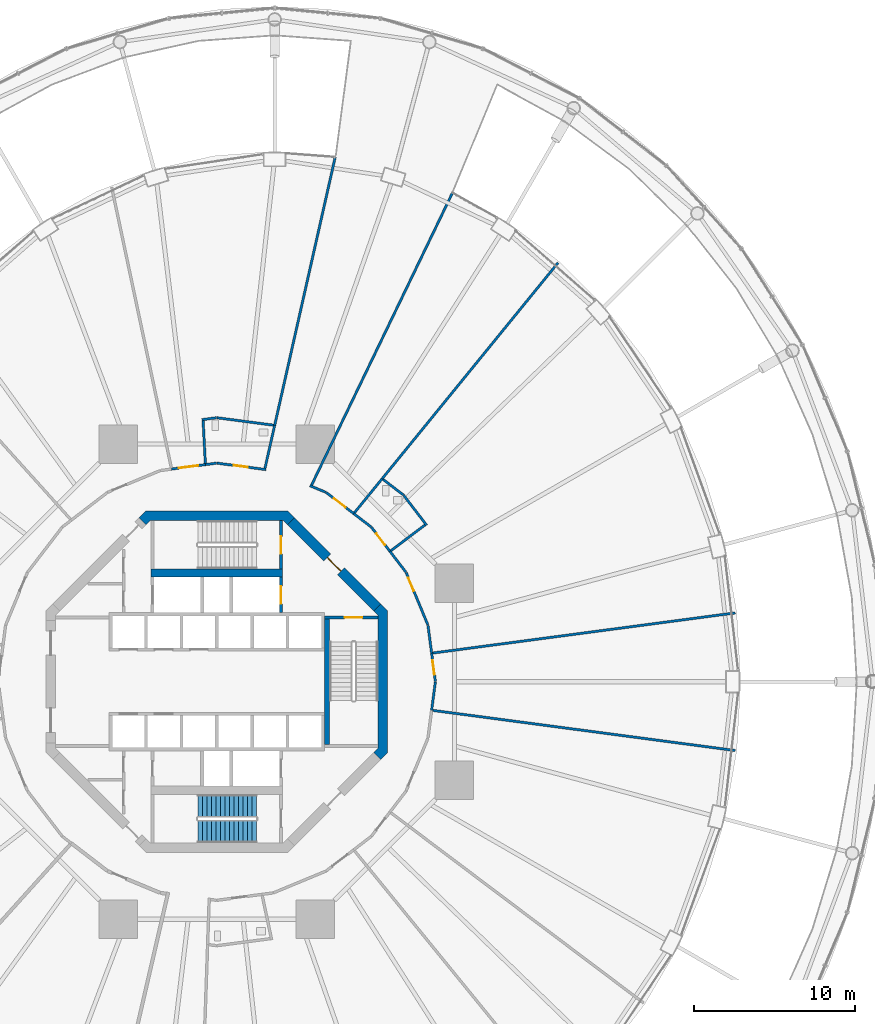
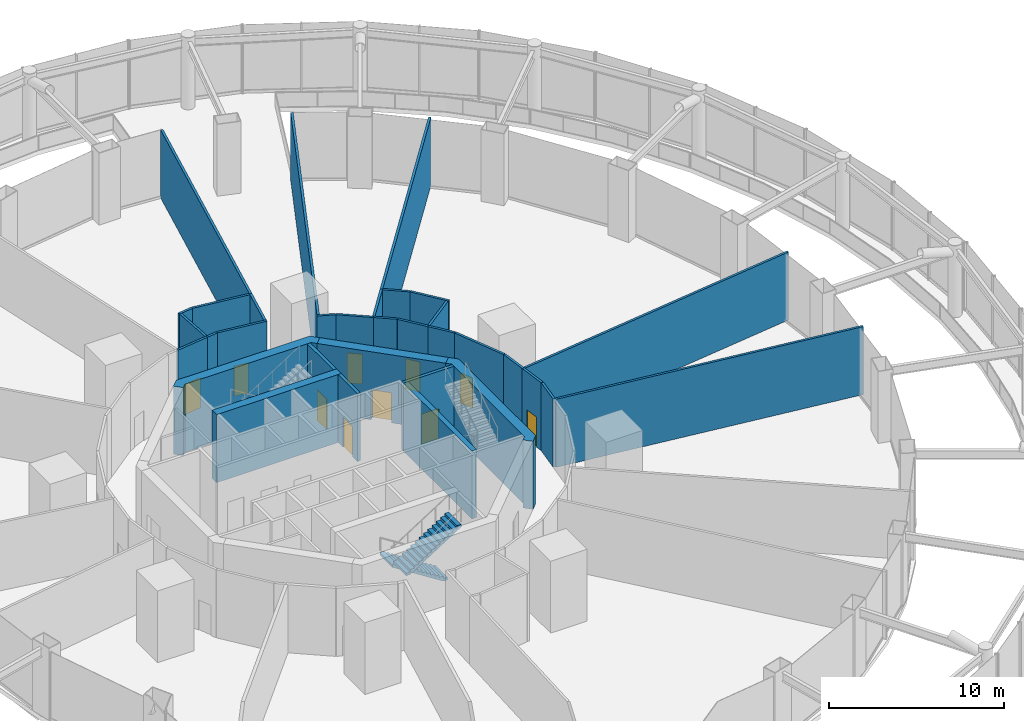
# One storey, part 46 of 52: 33 walls, 10 doors, 2 stair flights, 10 openings, 1 element without a shape of its own.
"""IFC4 building model written with IfcOpenShell, lengths in metres."""

from ifc_helpers import new_model, si_unit, direction, frame, frame_2d, origin, place, context, subcontext, project, spatial, polyline, rectangle, outline, extrude, material, layer, layer_set, type_object, element, fill, aggregate, save


model = new_model("IFC4")

# Units and contexts
model_context = context("Model", 3, precision=1e-05, world=origin(), true_north=direction((0.0, 1.0)))
body_context = subcontext(model_context, "Body", "Model", "MODEL_VIEW")
ifc_project = project(units=[si_unit("LENGTHUNIT", "METRE"), si_unit("AREAUNIT", "SQUARE_METRE"), si_unit("VOLUMEUNIT", "CUBIC_METRE"), si_unit("PLANEANGLEUNIT", "RADIAN"), si_unit("MASSUNIT", "GRAM", prefix="KILO")], contexts=[model_context])

# Site, building, storey
site_placement = place(None, origin())
site = spatial("IfcSite", under=ifc_project, at=site_placement, CompositionType="ELEMENT")
building_placement = place(site_placement, origin())
building = spatial("IfcBuilding", under=site, at=building_placement, Name="Nagisa Residences", CompositionType="ELEMENT")
storey_placement = place(building_placement, frame((0.0, 0.0, 22.0)))
storey = spatial("IfcBuildingStorey", under=building, at=storey_placement, Name="L04", CompositionType="ELEMENT", Elevation=22.0)

# Wall, opening, door
ifc_material_1 = material(Name="Concrete C60", Category="concrete")
ifc_layer_1 = layer(ifc_material_1, 0.60009765625)
ifc_layer_set_1 = layer_set([ifc_layer_1], Name="Core shear wall 600")
wall_type_1 = type_object("IfcWallType", Name="Core shear wall 600", PredefinedType="SHEAR", material=ifc_layer_set_1)
wall_1_placement = place(storey_placement, frame((9.98828125, 4.613037109375, 0.0), z_axis=(0.0, 0.0, 1.0), x_axis=(-0.707106781187, 0.707106781187, 0.0)))
wall_1 = element("IfcWall", 1, at=wall_1_placement, inside=storey, type_object=wall_type_1, Name="wall:L04:core:flat1", PredefinedType="SHEAR", context=body_context, shape_type="SweptSolid", body=[
    extrude(rectangle(XDim=7.601806640625, YDim=0.60009765625, at=frame_2d((3.80078125, 0.0))), origin(), (0.0, 0.0, 1.0), 4.739990234375),
])
opening_1_placement = place(wall_1_placement, frame((3.200927734375, 0.0, 0.0)))
opening_1 = element("IfcOpeningElement", 2, at=opening_1_placement, cuts=wall_1, Name="Opening L04-C17", PredefinedType="OPENING", context=body_context, shape_type="SweptSolid", body=[
    extrude(rectangle(XDim=1.199951171875, YDim=2.10009765625, at=frame_2d((0.60009765625, 1.050048828125))), frame((0.0, 0.31005859375, 0.0), z_axis=(0.0, -1.0, 0.0), x_axis=(1.0, 0.0, 0.0)), (0.0, 0.0, 1.0), 0.6201171875),
])
ifc_material_2 = material(Name="Steel fire door", Category="steel")
door_type_1 = type_object("IfcDoorType", Name="Fire door EI60 1200x2100 single swing", OperationType="NOTDEFINED", PredefinedType="DOOR", material=ifc_material_2)
door_1_placement = place(opening_1_placement, origin())
door_1 = element("IfcDoor", 3, at=door_1_placement, inside=storey, type_object=door_type_1, Name="Firefighting lobby 1 door L04", OperationType="SINGLE_SWING_LEFT", OverallHeight=2.10009765625, OverallWidth=1.199951171875, PredefinedType="DOOR", context=body_context, shape_type="SweptSolid", body=[
    extrude(rectangle(XDim=1.199951171875, YDim=2.10009765625, at=frame_2d((0.60009765625, 1.050048828125))), frame((0.0, 0.02490234375, 0.0), z_axis=(0.0, -1.0, 0.0), x_axis=(1.0, 0.0, 0.0)), (0.0, 0.0, 1.0), 0.050048828125),
])
fill(opening_1, door_1)

# Walls
wall_2_placement = place(storey_placement, origin())
element("IfcWall", 4, at=wall_2_placement, inside=storey, type_object=wall_type_1, Name="wall:L04:core:flat2", PredefinedType="SHEAR", context=body_context, shape_type="SweptSolid", body=[
    extrude(outline(polyline([(-4.15234375, 10.024658203125), (-4.40087890625, 9.776123046875), (-4.8251953125, 10.200439453125), (-4.40087890625, 10.62451171875), (4.40087890625, 10.62451171875), (4.8251953125, 10.200439453125), (4.40087890625, 9.776123046875), (4.15234375, 10.024658203125), (-4.15234375, 10.024658203125)])), origin(), (0.0, 0.0, 1.0), 4.739990234375),
])
wall_3_placement = place(storey_placement, origin())
element("IfcWall", 5, at=wall_3_placement, inside=storey, type_object=wall_type_1, Name="wall:L04:core:flat0", PredefinedType="SHEAR", context=body_context, shape_type="SweptSolid", body=[
    extrude(outline(polyline([(9.776123046875, -4.40087890625), (10.024658203125, -4.15234375), (10.024658203125, -3.801025390625), (10.024658203125, 4.15234375), (9.776123046875, 4.40087890625), (10.200439453125, 4.8251953125), (10.62451171875, 4.40087890625), (10.62451171875, -4.40087890625), (10.200439453125, -4.8251953125), (9.776123046875, -4.40087890625)])), origin(), (0.0, 0.0, 1.0), 4.739990234375),
])

# Wall, opening, door
ifc_material_3 = material(Name="Concrete C60", Category="concrete")
ifc_layer_2 = layer(ifc_material_3, 0.199951171875)
ifc_layer_set_2 = layer_set([ifc_layer_2], Name="Lift shaft wall 200")
wall_type_2 = type_object("IfcWallType", Name="Lift shaft wall 200", PredefinedType="SOLIDWALL", material=ifc_layer_set_2)
wall_4_placement = place(storey_placement, frame((4.0, 4.300048828125, 0.0), z_axis=(0.0, 0.0, 1.0), x_axis=(0.0, 1.0, 0.0)))
wall_4 = element("IfcWall", 6, at=wall_4_placement, inside=storey, type_object=wall_type_2, Name="wall:L04:Nb3", PredefinedType="SOLIDWALL", context=body_context, shape_type="SweptSolid", body=[
    extrude(rectangle(XDim=2.199951171875, YDim=0.199951171875, at=frame_2d((1.10009765625, 0.0))), origin(), (0.0, 0.0, 1.0), 4.739990234375),
])
opening_2_placement = place(wall_4_placement, frame((0.550048828125, 0.0, 0.0)))
opening_2 = element("IfcOpeningElement", 7, at=opening_2_placement, cuts=wall_4, Name="Opening L04-C06", PredefinedType="OPENING", context=body_context, shape_type="SweptSolid", body=[
    extrude(rectangle(XDim=1.10009765625, YDim=2.10009765625, at=frame_2d((0.550048828125, 1.050048828125))), frame((0.0, 0.10986328125, 0.0), z_axis=(0.0, -1.0, 0.0), x_axis=(1.0, 0.0, 0.0)), (0.0, 0.0, 1.0), 0.219970703125),
])
ifc_material_4 = material(Name="Stainless steel", Category="steel")
door_type_2 = type_object("IfcDoorType", Name="Lift landing door 1100x2100", OperationType="DOUBLE_DOOR_SLIDING", PredefinedType="DOOR", material=ifc_material_4)
door_2_placement = place(opening_2_placement, origin())
door_2 = element("IfcDoor", 8, at=door_2_placement, inside=storey, type_object=door_type_2, Name="Landing door FL1 L04", OperationType="DOUBLE_DOOR_SLIDING", OverallHeight=2.10009765625, OverallWidth=1.10009765625, PredefinedType="DOOR", context=body_context, shape_type="SweptSolid", body=[
    extrude(rectangle(XDim=1.10009765625, YDim=2.10009765625, at=frame_2d((0.550048828125, 1.050048828125))), frame((0.0, 0.02490234375, 0.0), z_axis=(0.0, -1.0, 0.0), x_axis=(1.0, 0.0, 0.0)), (0.0, 0.0, 1.0), 0.050048828125),
])
fill(opening_2, door_2)

ifc_material_5 = material(Name="Gypsum board on steel studs", Category="steel")
ifc_layer_3 = layer(ifc_material_5, 0.14990234375)
ifc_layer_set_3 = layer_set([ifc_layer_3], Name="Room partition EI60 150")
wall_type_3 = type_object("IfcWallType", Name="Room partition EI60 150", PredefinedType="PARTITIONING", material=ifc_layer_set_3)
wall_5_placement = place(storey_placement, frame((-2.81201171875, 13.229736328125, 0.0), z_axis=(0.0, 0.0, 1.0), x_axis=(0.991438625664, 0.130573548402, 0.0)))
wall_5 = element("IfcWall", 9, at=wall_5_placement, inside=storey, type_object=wall_type_3, Name="wall:L04:am017", PredefinedType="PARTITIONING", context=body_context, shape_type="SweptSolid", body=[
    extrude(rectangle(XDim=2.1220703125, YDim=0.14990234375, at=frame_2d((1.06103515625, 0.0))), origin(), (0.0, 0.0, 1.0), 4.739990234375),
])
opening_3_placement = place(wall_5_placement, frame((0.461181640625, 0.0, 0.0)))
opening_3 = element("IfcOpeningElement", 10, at=opening_3_placement, cuts=wall_5, Name="Opening L04-A05", PredefinedType="OPENING", context=body_context, shape_type="SweptSolid", body=[
    extrude(rectangle(XDim=1.199951171875, YDim=2.10009765625, at=frame_2d((0.60009765625, 1.050048828125))), frame((0.0, 0.0849609375, 0.0), z_axis=(0.0, -1.0, 0.0), x_axis=(1.0, 0.0, 0.0)), (0.0, 0.0, 1.0), 0.169921875),
])
ifc_material_6 = material(Name="Steel fire door", Category="steel")
door_type_3 = type_object("IfcDoorType", Name="Fire door EI30 1200x2100 single swing", OperationType="NOTDEFINED", PredefinedType="DOOR", material=ifc_material_6)
door_3_placement = place(opening_3_placement, frame((1.199951171875, 0.0, 0.0), x_axis=(-1.0, 0.0, 0.0)))
door_3 = element("IfcDoor", 11, at=door_3_placement, inside=storey, type_object=door_type_3, Name="Children's playroom door", OperationType="SINGLE_SWING_RIGHT", OverallHeight=2.10009765625, OverallWidth=1.199951171875, PredefinedType="DOOR", context=body_context, shape_type="SweptSolid", body=[
    extrude(rectangle(XDim=1.199951171875, YDim=2.10009765625, at=frame_2d((0.60009765625, 1.050048828125))), frame((0.0, 0.02490234375, 0.0), z_axis=(0.0, -1.0, 0.0), x_axis=(1.0, 0.0, 0.0)), (0.0, 0.0, 1.0), 0.050048828125),
])
fill(opening_3, door_3)

# Walls
wall_6_placement = place(storey_placement, frame((-0.929443359375, 16.3017578125, 0.0), z_axis=(0.0, 0.0, 1.0), x_axis=(0.991440824405, 0.130556852376, 0.0)))
element("IfcWall", 12, at=wall_6_placement, inside=storey, type_object=wall_type_3, Name="wall:L04:am018", PredefinedType="PARTITIONING", context=body_context, shape_type="SweptSolid", body=[
    extrude(rectangle(XDim=0.925537109375, YDim=0.14990234375, at=frame_2d((0.462890625, 0.0))), origin(), (0.0, 0.0, 1.0), 4.739990234375),
])
wall_7_placement = place(storey_placement, frame((-0.7119140625, 13.58203125, 0.0), z_axis=(0.0, 0.0, 1.0), x_axis=(-0.05235154686, 0.998628717563, 0.0)))
element("IfcWall", 13, at=wall_7_placement, inside=storey, type_object=wall_type_3, Name="wall:L04:am019", PredefinedType="PARTITIONING", context=body_context, shape_type="SweptSolid", body=[
    extrude(rectangle(XDim=2.658203125, YDim=0.14990234375, at=frame_2d((1.3291015625, 0.0))), origin(), (0.0, 0.0, 1.0), 4.739990234375),
])
wall_8_placement = place(storey_placement, frame((-0.7080078125, 13.5068359375, 0.0), z_axis=(0.0, 0.0, 1.0), x_axis=(0.991466123966, 0.130364585024, 0.0)))
element("IfcWall", 14, at=wall_8_placement, inside=storey, type_object=wall_type_3, Name="wall:L04:am020", PredefinedType="PARTITIONING", context=body_context, shape_type="SweptSolid", body=[
    extrude(rectangle(XDim=0.702392578125, YDim=0.14990234375, at=frame_2d((0.35107421875, 0.0))), origin(), (0.0, 0.0, 1.0), 4.739990234375),
])

# Wall, opening, door
wall_9_placement = place(storey_placement, frame((0.01171875, 13.598388671875, 0.0), z_axis=(0.0, 0.0, 1.0), x_axis=(0.991450776896, -0.130481251495, 0.0)))
wall_9 = element("IfcWall", 15, at=wall_9_placement, inside=storey, type_object=wall_type_3, Name="wall:L04:am025", PredefinedType="PARTITIONING", context=body_context, shape_type="SweptSolid", body=[
    extrude(rectangle(XDim=3.070556640625, YDim=0.14990234375, at=frame_2d((1.53515625, 0.0))), origin(), (0.0, 0.0, 1.0), 4.739990234375),
])
opening_4_placement = place(wall_9_placement, frame((1.04150390625, 0.0, 0.0)))
opening_4 = element("IfcOpeningElement", 16, at=opening_4_placement, cuts=wall_9, Name="Opening L04-A04", PredefinedType="OPENING", context=body_context, shape_type="SweptSolid", body=[
    extrude(rectangle(XDim=0.89990234375, YDim=2.10009765625, at=frame_2d((0.449951171875, 1.050048828125))), frame((0.0, 0.0849609375, 0.0), z_axis=(0.0, -1.0, 0.0), x_axis=(1.0, 0.0, 0.0)), (0.0, 0.0, 1.0), 0.169921875),
])
ifc_material_7 = material(Name="Steel fire door", Category="steel")
door_type_4 = type_object("IfcDoorType", Name="Fire door EI30 900x2100 single swing", OperationType="NOTDEFINED", PredefinedType="DOOR", material=ifc_material_7)
door_4_placement = place(opening_4_placement, origin())
door_4 = element("IfcDoor", 17, at=door_4_placement, inside=storey, type_object=door_type_4, Name="Children's WC door", OperationType="SINGLE_SWING_RIGHT", OverallHeight=2.10009765625, OverallWidth=0.89990234375, PredefinedType="DOOR", context=body_context, shape_type="SweptSolid", body=[
    extrude(rectangle(XDim=0.89990234375, YDim=2.10009765625, at=frame_2d((0.449951171875, 1.050048828125))), frame((0.0, 0.02490234375, 0.0), z_axis=(0.0, -1.0, 0.0), x_axis=(1.0, 0.0, 0.0)), (0.0, 0.0, 1.0), 0.050048828125),
])
fill(opening_4, door_4)

# Walls
wall_10_placement = place(storey_placement, frame((0.01171875, 16.422607421875, 0.0), z_axis=(0.0, 0.0, 1.0), x_axis=(0.991443741692, -0.130534696763, 0.0)))
element("IfcWall", 18, at=wall_10_placement, inside=storey, type_object=wall_type_3, Name="wall:L04:am026", PredefinedType="PARTITIONING", context=body_context, shape_type="SweptSolid", body=[
    extrude(rectangle(XDim=3.544189453125, YDim=0.14990234375, at=frame_2d((1.77197265625, 0.0))), origin(), (0.0, 0.0, 1.0), 4.739990234375),
])
wall_11_placement = place(storey_placement, frame((2.997802734375, 13.281005859375, 0.0), z_axis=(0.0, 0.0, 1.0), x_axis=(0.220197886119, 0.975455222421, 0.0)))
element("IfcWall", 19, at=wall_11_placement, inside=storey, type_object=wall_type_3, Name="wall:L04:am029", PredefinedType="PARTITIONING", context=body_context, shape_type="SweptSolid", body=[
    extrude(rectangle(XDim=2.736328125, YDim=0.14990234375, at=frame_2d((1.3681640625, 0.0))), origin(), (0.0, 0.0, 1.0), 4.739990234375),
])
wall_12_placement = place(storey_placement, frame((3.600341796875, 15.9501953125, 0.0), z_axis=(0.0, 0.0, 1.0), x_axis=(0.220190709134, 0.975456842516, 0.0)))
element("IfcWall", 20, at=wall_12_placement, inside=storey, type_object=wall_type_3, Name="wall:L04:am032", PredefinedType="PARTITIONING", context=body_context, shape_type="SweptSolid", body=[
    extrude(rectangle(XDim=17.08837890625, YDim=0.14990234375, at=frame_2d((8.544189453125, 0.0))), origin(), (0.0, 0.0, 1.0), 4.739990234375),
])
wall_13_placement = place(storey_placement, frame((5.79541015625, 12.194091796875, 0.0), z_axis=(0.0, 0.0, 1.0), x_axis=(0.923867429555, -0.382712650179, 0.0)))
element("IfcWall", 21, at=wall_13_placement, inside=storey, type_object=wall_type_3, Name="wall:L04:am033", PredefinedType="PARTITIONING", context=body_context, shape_type="SweptSolid", body=[
    extrude(rectangle(XDim=1.075439453125, YDim=0.14990234375, at=frame_2d((0.53759765625, 0.0))), origin(), (0.0, 0.0, 1.0), 4.739990234375),
])

# Wall, opening, door
wall_14_placement = place(storey_placement, frame((6.809326171875, 11.770751953125, 0.0), z_axis=(0.0, 0.0, 1.0), x_axis=(0.793372937326, -0.608735888805, 0.0)))
wall_14 = element("IfcWall", 22, at=wall_14_placement, inside=storey, type_object=wall_type_3, Name="wall:L04:am035", PredefinedType="PARTITIONING", context=body_context, shape_type="SweptSolid", body=[
    extrude(rectangle(XDim=2.1552734375, YDim=0.14990234375, at=frame_2d((1.07763671875, 0.0))), origin(), (0.0, 0.0, 1.0), 4.739990234375),
])
opening_5_placement = place(wall_14_placement, frame((0.62158203125, 0.0, 0.0)))
opening_5 = element("IfcOpeningElement", 23, at=opening_5_placement, cuts=wall_14, Name="Opening L04-A03", PredefinedType="OPENING", context=body_context, shape_type="SweptSolid", body=[
    extrude(rectangle(XDim=0.89990234375, YDim=2.10009765625, at=frame_2d((0.449951171875, 1.050048828125))), frame((0.0, 0.0849609375, 0.0), z_axis=(0.0, -1.0, 0.0), x_axis=(1.0, 0.0, 0.0)), (0.0, 0.0, 1.0), 0.169921875),
])
door_5_placement = place(opening_5_placement, origin())
door_5 = element("IfcDoor", 24, at=door_5_placement, inside=storey, type_object=door_type_4, Name="Housekeeping base door", OperationType="SINGLE_SWING_LEFT", OverallHeight=2.10009765625, OverallWidth=0.89990234375, PredefinedType="DOOR", context=body_context, shape_type="SweptSolid", body=[
    extrude(rectangle(XDim=0.89990234375, YDim=2.10009765625, at=frame_2d((0.449951171875, 1.050048828125))), frame((0.0, 0.02490234375, 0.0), z_axis=(0.0, -1.0, 0.0), x_axis=(1.0, 0.0, 0.0)), (0.0, 0.0, 1.0), 0.050048828125),
])
fill(opening_5, door_5)

# Walls
wall_15_placement = place(storey_placement, frame((8.519287109375, 10.458740234375, 0.0), z_axis=(0.0, 0.0, 1.0), x_axis=(0.793371316762, -0.6087380009, 0.0)))
element("IfcWall", 25, at=wall_15_placement, inside=storey, type_object=wall_type_3, Name="wall:L04:am038", PredefinedType="PARTITIONING", context=body_context, shape_type="SweptSolid", body=[
    extrude(rectangle(XDim=1.371337890625, YDim=0.14990234375, at=frame_2d((0.685546875, 0.0))), origin(), (0.0, 0.0, 1.0), 4.739990234375),
])
wall_16_placement = place(storey_placement, frame((8.566650390625, 10.51708984375, 0.0), z_axis=(0.0, 0.0, 1.0), x_axis=(0.631573271363, 0.775316195432, 0.0)))
element("IfcWall", 26, at=wall_16_placement, inside=storey, type_object=wall_type_3, Name="wall:L04:am039", PredefinedType="PARTITIONING", context=body_context, shape_type="SweptSolid", body=[
    extrude(rectangle(XDim=2.72607421875, YDim=0.14990234375, at=frame_2d((1.363037109375, 0.0))), origin(), (0.0, 0.0, 1.0), 4.739990234375),
])

# Wall, opening, door
wall_17_placement = place(storey_placement, frame((9.6240234375, 9.607177734375, 0.0), z_axis=(0.0, 0.0, 1.0), x_axis=(0.608754453805, -0.793358692504, 0.0)))
wall_17 = element("IfcWall", 27, at=wall_17_placement, inside=storey, type_object=wall_type_3, Name="wall:L04:am041", PredefinedType="PARTITIONING", context=body_context, shape_type="SweptSolid", body=[
    extrude(rectangle(XDim=1.888427734375, YDim=0.14990234375, at=frame_2d((0.9443359375, 0.0))), origin(), (0.0, 0.0, 1.0), 4.739990234375),
])
opening_6_placement = place(wall_17_placement, frame((0.48828125, 0.0, 0.0)))
opening_6 = element("IfcOpeningElement", 28, at=opening_6_placement, cuts=wall_17, Name="Opening L04-A01", PredefinedType="OPENING", context=body_context, shape_type="SweptSolid", body=[
    extrude(rectangle(XDim=0.89990234375, YDim=2.10009765625, at=frame_2d((0.449951171875, 1.050048828125))), frame((0.0, 0.0849609375, 0.0), z_axis=(0.0, -1.0, 0.0), x_axis=(1.0, 0.0, 0.0)), (0.0, 0.0, 1.0), 0.169921875),
])
door_6_placement = place(opening_6_placement, origin())
door_6 = element("IfcDoor", 29, at=door_6_placement, inside=storey, type_object=door_type_4, Name="Accessible WC door", OperationType="SINGLE_SWING_LEFT", OverallHeight=2.10009765625, OverallWidth=0.89990234375, PredefinedType="DOOR", context=body_context, shape_type="SweptSolid", body=[
    extrude(rectangle(XDim=0.89990234375, YDim=2.10009765625, at=frame_2d((0.449951171875, 1.050048828125))), frame((0.0, 0.02490234375, 0.0), z_axis=(0.0, -1.0, 0.0), x_axis=(1.0, 0.0, 0.0)), (0.0, 0.0, 1.0), 0.050048828125),
])
fill(opening_6, door_6)

# Walls
wall_18_placement = place(storey_placement, frame((10.347900390625, 12.5849609375, 0.0), z_axis=(0.0, 0.0, 1.0), x_axis=(0.793328373205, -0.608793965368, 0.0)))
element("IfcWall", 30, at=wall_18_placement, inside=storey, type_object=wall_type_3, Name="wall:L04:am042", PredefinedType="PARTITIONING", context=body_context, shape_type="SweptSolid", body=[
    extrude(rectangle(XDim=1.583740234375, YDim=0.14990234375, at=frame_2d((0.7919921875, 0.0))), origin(), (0.0, 0.0, 1.0), 4.739990234375),
])
wall_19_placement = place(storey_placement, frame((10.288330078125, 12.630615234375, 0.0), z_axis=(0.0, 0.0, 1.0), x_axis=(0.631546535922, 0.77533797338, 0.0)))
element("IfcWall", 31, at=wall_19_placement, inside=storey, type_object=wall_type_3, Name="wall:L04:am043", PredefinedType="PARTITIONING", context=body_context, shape_type="SweptSolid", body=[
    extrude(rectangle(XDim=17.3251953125, YDim=0.14990234375, at=frame_2d((8.66259765625, 0.0))), origin(), (0.0, 0.0, 1.0), 4.739990234375),
])
wall_20_placement = place(storey_placement, frame((10.773681640625, 8.10888671875, 0.0), z_axis=(0.0, 0.0, 1.0), x_axis=(0.608716251771, -0.793388003961, 0.0)))
element("IfcWall", 32, at=wall_20_placement, inside=storey, type_object=wall_type_3, Name="wall:L04:am046", PredefinedType="PARTITIONING", context=body_context, shape_type="SweptSolid", body=[
    extrude(rectangle(XDim=1.637939453125, YDim=0.14990234375, at=frame_2d((0.81884765625, 0.0))), origin(), (0.0, 0.0, 1.0), 4.739990234375),
])
wall_21_placement = place(storey_placement, frame((11.620849609375, 11.604248046875, 0.0), z_axis=(0.0, 0.0, 1.0), x_axis=(0.608759688573, -0.793354675771, 0.0)))
element("IfcWall", 33, at=wall_21_placement, inside=storey, type_object=wall_type_3, Name="wall:L04:am047", PredefinedType="PARTITIONING", context=body_context, shape_type="SweptSolid", body=[
    extrude(rectangle(XDim=2.358154296875, YDim=0.14990234375, at=frame_2d((1.17919921875, 0.0))), origin(), (0.0, 0.0, 1.0), 4.739990234375),
])

# Wall, opening, door
wall_22_placement = place(storey_placement, frame((11.782470703125, 6.7890625, 0.0), z_axis=(0.0, 0.0, 1.0), x_axis=(0.382677866108, -0.923881838111, 0.0)))
wall_22 = element("IfcWall", 34, at=wall_22_placement, inside=storey, type_object=wall_type_3, Name="wall:L04:am049", PredefinedType="PARTITIONING", context=body_context, shape_type="SweptSolid", body=[
    extrude(rectangle(XDim=3.52685546875, YDim=0.14990234375, at=frame_2d((1.763427734375, 0.0))), origin(), (0.0, 0.0, 1.0), 4.739990234375),
])
opening_7_placement = place(wall_22_placement, frame((0.345703125, 0.0, 0.0)))
opening_7 = element("IfcOpeningElement", 35, at=opening_7_placement, cuts=wall_22, Name="Opening L04-A02", PredefinedType="OPENING", context=body_context, shape_type="SweptSolid", body=[
    extrude(rectangle(XDim=0.89990234375, YDim=2.10009765625, at=frame_2d((0.449951171875, 1.050048828125))), frame((0.0, 0.0849609375, 0.0), z_axis=(0.0, -1.0, 0.0), x_axis=(1.0, 0.0, 0.0)), (0.0, 0.0, 1.0), 0.169921875),
])
door_7_placement = place(opening_7_placement, origin())
door_7 = element("IfcDoor", 36, at=door_7_placement, inside=storey, type_object=door_type_4, Name="Owners' storage lockers door", OperationType="SINGLE_SWING_RIGHT", OverallHeight=2.10009765625, OverallWidth=0.89990234375, PredefinedType="DOOR", context=body_context, shape_type="SweptSolid", body=[
    extrude(rectangle(XDim=0.89990234375, YDim=2.10009765625, at=frame_2d((0.449951171875, 1.050048828125))), frame((0.0, 0.02490234375, 0.0), z_axis=(0.0, -1.0, 0.0), x_axis=(1.0, 0.0, 0.0)), (0.0, 0.0, 1.0), 0.050048828125),
])
fill(opening_7, door_7)

# Walls
wall_23_placement = place(storey_placement, frame((12.950927734375, 9.747802734375, 0.0), z_axis=(0.0, 0.0, 1.0), x_axis=(-0.798970748419, -0.601369888813, 0.0)))
element("IfcWall", 37, at=wall_23_placement, inside=storey, type_object=wall_type_3, Name="wall:L04:am050", PredefinedType="PARTITIONING", context=body_context, shape_type="SweptSolid", body=[
    extrude(rectangle(XDim=2.650146484375, YDim=0.14990234375, at=frame_2d((1.3251953125, 0.0))), origin(), (0.0, 0.0, 1.0), 4.739990234375),
])
wall_24_placement = place(storey_placement, frame((13.13818359375, 3.508056640625, 0.0), z_axis=(0.0, 0.0, 1.0), x_axis=(0.130526735914, -0.991444789795, 0.0)))
element("IfcWall", 38, at=wall_24_placement, inside=storey, type_object=wall_type_3, Name="wall:L04:am052", PredefinedType="PARTITIONING", context=body_context, shape_type="SweptSolid", body=[
    extrude(rectangle(XDim=1.748779296875, YDim=0.14990234375, at=frame_2d((0.87451171875, 0.0))), origin(), (0.0, 0.0, 1.0), 4.739990234375),
])
wall_25_placement = place(storey_placement, frame((13.440673828125, -1.783935546875, 0.0), z_axis=(0.0, 0.0, 1.0), x_axis=(0.991305479384, -0.131580570535, 0.0)))
element("IfcWall", 39, at=wall_25_placement, inside=storey, type_object=wall_type_3, Name="wall:L04:am054", PredefinedType="PARTITIONING", context=body_context, shape_type="SweptSolid", body=[
    extrude(rectangle(XDim=18.9775390625, YDim=0.14990234375, at=frame_2d((9.48876953125, 0.0))), origin(), (0.0, 0.0, 1.0), 4.739990234375),
])

# Wall, opening, door
wall_26_placement = place(storey_placement, frame((13.366455078125, 1.774169921875, 0.0), z_axis=(0.0, 0.0, 1.0), x_axis=(0.130472275964, -0.991451958092, 0.0)))
wall_26 = element("IfcWall", 40, at=wall_26_placement, inside=storey, type_object=wall_type_3, Name="wall:L04:am055", PredefinedType="PARTITIONING", context=body_context, shape_type="SweptSolid", body=[
    extrude(rectangle(XDim=1.777587890625, YDim=0.14990234375, at=frame_2d((0.888671875, 0.0))), origin(), (0.0, 0.0, 1.0), 4.739990234375),
])
opening_8_placement = place(wall_26_placement, frame((0.444580078125, 0.0, 0.0)))
opening_8 = element("IfcOpeningElement", 41, at=opening_8_placement, cuts=wall_26, Name="Opening L04-A15", PredefinedType="OPENING", context=body_context, shape_type="SweptSolid", body=[
    extrude(rectangle(XDim=0.89990234375, YDim=2.10009765625, at=frame_2d((0.449951171875, 1.050048828125))), frame((0.0, 0.0849609375, 0.0), z_axis=(0.0, -1.0, 0.0), x_axis=(1.0, 0.0, 0.0)), (0.0, 0.0, 1.0), 0.169921875),
])
door_8_placement = place(opening_8_placement, origin())
door_8 = element("IfcDoor", 42, at=door_8_placement, inside=storey, type_object=door_type_4, Name="Cloakroom store door", OperationType="SINGLE_SWING_LEFT", OverallHeight=2.10009765625, OverallWidth=0.89990234375, PredefinedType="DOOR", context=body_context, shape_type="SweptSolid", body=[
    extrude(rectangle(XDim=0.89990234375, YDim=2.10009765625, at=frame_2d((0.449951171875, 1.050048828125))), frame((0.0, 0.02490234375, 0.0), z_axis=(0.0, -1.0, 0.0), x_axis=(1.0, 0.0, 0.0)), (0.0, 0.0, 1.0), 0.050048828125),
])
fill(opening_8, door_8)

# Walls
wall_27_placement = place(storey_placement, frame((13.598388671875, -0.01171875, 0.0), z_axis=(0.0, 0.0, 1.0), x_axis=(-0.130472275964, -0.991451958092, 0.0)))
element("IfcWall", 43, at=wall_27_placement, inside=storey, type_object=wall_type_3, Name="wall:L04:am056", PredefinedType="PARTITIONING", context=body_context, shape_type="SweptSolid", body=[
    extrude(rectangle(XDim=1.777587890625, YDim=0.14990234375, at=frame_2d((0.888671875, 0.0))), origin(), (0.0, 0.0, 1.0), 4.739990234375),
])
wall_28_placement = place(storey_placement, frame((14.654296875, 30.397705078125, 0.0), z_axis=(0.0, 0.0, 1.0), x_axis=(-0.434261119912, -0.900787033506, 0.0)))
element("IfcWall", 44, at=wall_28_placement, inside=storey, type_object=wall_type_3, Name="wall:L04:am057", PredefinedType="PARTITIONING", context=body_context, shape_type="SweptSolid", body=[
    extrude(rectangle(XDim=20.16552734375, YDim=0.14990234375, at=frame_2d((10.082763671875, 0.0))), origin(), (0.0, 0.0, 1.0), 4.739990234375),
])
wall_29_placement = place(storey_placement, frame((32.253173828125, 4.281005859375, 0.0), z_axis=(0.0, 0.0, 1.0), x_axis=(-0.991305479384, -0.131580570535, 0.0)))
element("IfcWall", 45, at=wall_29_placement, inside=storey, type_object=wall_type_3, Name="wall:L04:am058", PredefinedType="PARTITIONING", context=body_context, shape_type="SweptSolid", body=[
    extrude(rectangle(XDim=18.9775390625, YDim=0.14990234375, at=frame_2d((9.48876953125, 0.0))), origin(), (0.0, 0.0, 1.0), 4.739990234375),
])

# Wall, opening, door
ifc_material_8 = material(Name="Concrete C60", Category="concrete")
ifc_layer_4 = layer(ifc_material_8, 0.199951171875)
ifc_layer_set_4 = layer_set([ifc_layer_4], Name="Stair enclosure wall 200")
wall_type_4 = type_object("IfcWallType", Name="Stair enclosure wall 200", PredefinedType="SOLIDWALL", material=ifc_layer_set_4)
wall_30_placement = place(storey_placement, frame((6.699951171875, 4.0, 0.0), z_axis=(0.0, 0.0, 1.0), x_axis=(1.0, 0.0, 0.0)))
wall_30 = element("IfcWall", 46, at=wall_30_placement, inside=storey, type_object=wall_type_4, Name="wall:L04:SE_n", PredefinedType="SOLIDWALL", context=body_context, shape_type="SweptSolid", body=[
    extrude(rectangle(XDim=3.32470703125, YDim=0.199951171875, at=frame_2d((1.662353515625, 0.0))), origin(), (0.0, 0.0, 1.0), 4.739990234375),
])
opening_9_placement = place(wall_30_placement, frame((1.25, 0.0, 0.0)))
opening_9 = element("IfcOpeningElement", 47, at=opening_9_placement, cuts=wall_30, Name="Opening L04-C09", PredefinedType="OPENING", context=body_context, shape_type="SweptSolid", body=[
    extrude(rectangle(XDim=1.10009765625, YDim=2.10009765625, at=frame_2d((0.550048828125, 1.050048828125))), frame((0.0, 0.10986328125, 0.0), z_axis=(0.0, -1.0, 0.0), x_axis=(1.0, 0.0, 0.0)), (0.0, 0.0, 1.0), 0.219970703125),
])
ifc_material_9 = material(Name="Steel fire door", Category="steel")
door_type_5 = type_object("IfcDoorType", Name="Fire door EI90 1100x2100 single swing", OperationType="NOTDEFINED", PredefinedType="DOOR", material=ifc_material_9)
door_9_placement = place(opening_9_placement, frame((1.10009765625, 0.0, 0.0), x_axis=(-1.0, 0.0, 0.0)))
door_9 = element("IfcDoor", 48, at=door_9_placement, inside=storey, type_object=door_type_5, Name="Stair door ST-E L04", OperationType="SINGLE_SWING_RIGHT", OverallHeight=2.10009765625, OverallWidth=1.10009765625, PredefinedType="DOOR", context=body_context, shape_type="SweptSolid", body=[
    extrude(rectangle(XDim=1.10009765625, YDim=2.10009765625, at=frame_2d((0.550048828125, 1.050048828125))), frame((0.0, 0.02490234375, 0.0), z_axis=(0.0, -1.0, 0.0), x_axis=(1.0, 0.0, 0.0)), (0.0, 0.0, 1.0), 0.050048828125),
])
fill(opening_9, door_9)

wall_31_placement = place(storey_placement, frame((4.0, 7.024658203125, 0.0), z_axis=(0.0, 0.0, 1.0), x_axis=(0.0, 1.0, 0.0)))
wall_31 = element("IfcWall", 49, at=wall_31_placement, inside=storey, type_object=wall_type_4, Name="wall:L04:SN_e", PredefinedType="SOLIDWALL", context=body_context, shape_type="SweptSolid", body=[
    extrude(rectangle(XDim=3.0, YDim=0.199951171875, at=frame_2d((1.5, 0.0))), origin(), (0.0, 0.0, 1.0), 4.739990234375),
])
opening_10_placement = place(wall_31_placement, frame((0.92529296875, 0.0, 0.0)))
opening_10 = element("IfcOpeningElement", 50, at=opening_10_placement, cuts=wall_31, Name="Opening L04-C10", PredefinedType="OPENING", context=body_context, shape_type="SweptSolid", body=[
    extrude(rectangle(XDim=1.10009765625, YDim=2.10009765625, at=frame_2d((0.550048828125, 1.050048828125))), frame((0.0, 0.10986328125, 0.0), z_axis=(0.0, -1.0, 0.0), x_axis=(1.0, 0.0, 0.0)), (0.0, 0.0, 1.0), 0.219970703125),
])
door_10_placement = place(opening_10_placement, origin())
door_10 = element("IfcDoor", 51, at=door_10_placement, inside=storey, type_object=door_type_5, Name="Stair door ST-N L04", OperationType="SINGLE_SWING_LEFT", OverallHeight=2.10009765625, OverallWidth=1.10009765625, PredefinedType="DOOR", context=body_context, shape_type="SweptSolid", body=[
    extrude(rectangle(XDim=1.10009765625, YDim=2.10009765625, at=frame_2d((0.550048828125, 1.050048828125))), frame((0.0, 0.02490234375, 0.0), z_axis=(0.0, -1.0, 0.0), x_axis=(1.0, 0.0, 0.0)), (0.0, 0.0, 1.0), 0.050048828125),
])
fill(opening_10, door_10)

# Walls
wall_32_placement = place(storey_placement, origin())
element("IfcWall", 52, at=wall_32_placement, inside=storey, type_object=wall_type_4, Name="wall:L04:SN_s", PredefinedType="SOLIDWALL", context=body_context, shape_type="SweptSolid", body=[
    extrude(outline(polyline([(4.10009765625, 6.5), (-4.10009765625, 6.5), (-4.10009765625, 7.024658203125), (4.10009765625, 7.024658203125), (4.10009765625, 6.5)])), origin(), (0.0, 0.0, 1.0), 4.739990234375),
])
wall_33_placement = place(storey_placement, origin())
element("IfcWall", 53, at=wall_33_placement, inside=storey, type_object=wall_type_4, Name="wall:L04:SE_w", PredefinedType="SOLIDWALL", context=body_context, shape_type="SweptSolid", body=[
    extrude(outline(polyline([(7.024658203125, -3.89990234375), (6.699951171875, -3.89990234375), (6.699951171875, 3.89990234375), (7.024658203125, 3.89990234375), (7.024658203125, -3.89990234375)])), origin(), (0.0, 0.0, 1.0), 4.739990234375),
])

# Stair, stair flights
ifc_material_10 = material(Name="Concrete C60", Category="concrete")
stair_type = type_object("IfcStairType", Name="Exit stair", PredefinedType="HALF_TURN_STAIR", material=ifc_material_10)
stair_placement = place(storey_placement, origin())
stair = element("IfcStair", 54, at=stair_placement, inside=storey, type_object=stair_type, Name="L04 Exit stair S", PredefinedType="HALF_TURN_STAIR")
ifc_material_11 = material(Name="Concrete C60", Category="concrete")
stair_flight_type = type_object("IfcStairFlightType", Name="Exit stair flight", PredefinedType="STRAIGHT", material=ifc_material_11)
stair_flight_1_placement = place(storey_placement, frame((2.47509765625, -7.737060546875, 0.0), z_axis=(0.0, 0.0, 1.0), x_axis=(-1.0, 0.0, 0.0)))
stair_flight_1 = element("IfcStairFlight", 55, at=stair_flight_1_placement, type_object=stair_flight_type, Name="ST-S flight 1", NumberOfRisers=14, NumberOfTreads=13, PredefinedType="STRAIGHT", RiserHeight=0.178571429, TreadLength=0.28, context=body_context, shape_type="SweptSolid", body=[
    extrude(outline(polyline([(0.0, 0.0), (0.0, 0.178466796875), (0.280029296875, 0.178466796875), (0.280029296875, 0.357177734375), (0.56005859375, 0.357177734375), (0.56005859375, 0.53564453125), (0.840087890625, 0.53564453125), (0.840087890625, 0.71435546875), (1.1201171875, 0.71435546875), (1.1201171875, 0.892822265625), (1.39990234375, 0.892822265625), (1.39990234375, 1.071533203125), (1.679931640625, 1.071533203125), (1.679931640625, 1.25), (1.9599609375, 1.25), (1.9599609375, 1.428466796875), (2.239990234375, 1.428466796875), (2.239990234375, 1.607177734375), (2.52001953125, 1.607177734375), (2.52001953125, 1.78564453125), (2.800048828125, 1.78564453125), (2.800048828125, 1.96435546875), (3.080078125, 1.96435546875), (3.080078125, 2.142822265625), (3.360107421875, 2.142822265625), (3.360107421875, 2.321533203125), (3.639892578125, 2.321533203125), (3.639892578125, 2.5), (3.639892578125, 2.1435546875), (0.27880859375, 0.0), (0.0, 0.0)])), frame((0.0, 0.71240234375, 0.0), z_axis=(0.0, -1.0, 0.0), x_axis=(1.0, 0.0, 0.0)), (0.0, 0.0, 1.0), 1.425048828125),
])
stair_flight_2_placement = place(storey_placement, frame((-1.1650390625, -9.31201171875, 2.5), z_axis=(0.0, 0.0, 1.0), x_axis=(1.0, 0.0, 0.0)))
stair_flight_2 = element("IfcStairFlight", 56, at=stair_flight_2_placement, type_object=stair_flight_type, Name="ST-S flight 2", NumberOfRisers=14, NumberOfTreads=13, PredefinedType="STRAIGHT", RiserHeight=0.178571429, TreadLength=0.28, context=body_context, shape_type="SweptSolid", body=[
    extrude(outline(polyline([(0.0, 0.0), (0.0, 0.178466796875), (0.280029296875, 0.178466796875), (0.280029296875, 0.357177734375), (0.56005859375, 0.357177734375), (0.56005859375, 0.53564453125), (0.840087890625, 0.53564453125), (0.840087890625, 0.71435546875), (1.1201171875, 0.71435546875), (1.1201171875, 0.892822265625), (1.39990234375, 0.892822265625), (1.39990234375, 1.071533203125), (1.679931640625, 1.071533203125), (1.679931640625, 1.25), (1.9599609375, 1.25), (1.9599609375, 1.428466796875), (2.239990234375, 1.428466796875), (2.239990234375, 1.607177734375), (2.52001953125, 1.607177734375), (2.52001953125, 1.78564453125), (2.800048828125, 1.78564453125), (2.800048828125, 1.96435546875), (3.080078125, 1.96435546875), (3.080078125, 2.142822265625), (3.360107421875, 2.142822265625), (3.360107421875, 2.321533203125), (3.639892578125, 2.321533203125), (3.639892578125, 2.5), (3.639892578125, 2.1435546875), (0.27880859375, 0.0), (0.0, 0.0)])), frame((0.0, 0.71240234375, 0.0), z_axis=(0.0, -1.0, 0.0), x_axis=(1.0, 0.0, 0.0)), (0.0, 0.0, 1.0), 1.425048828125),
])
aggregate(stair, [stair_flight_1, stair_flight_2])

save(model, "model.ifc")
